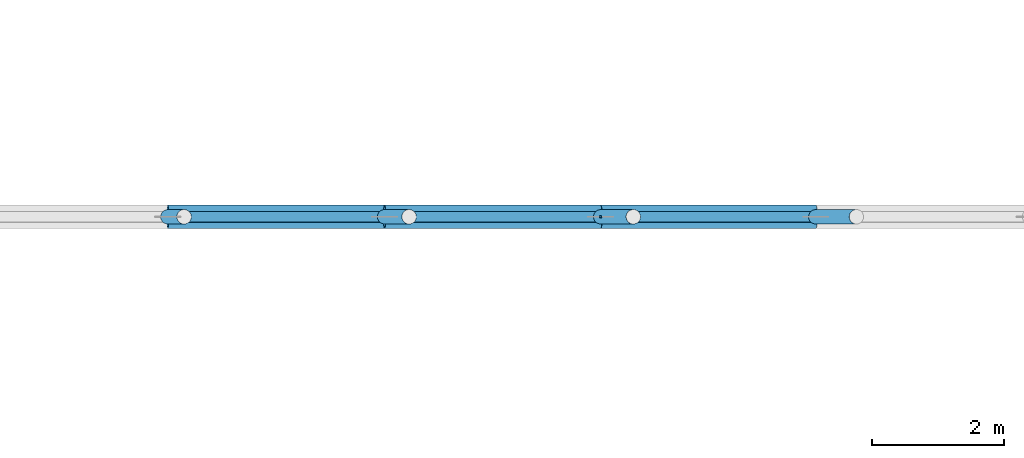
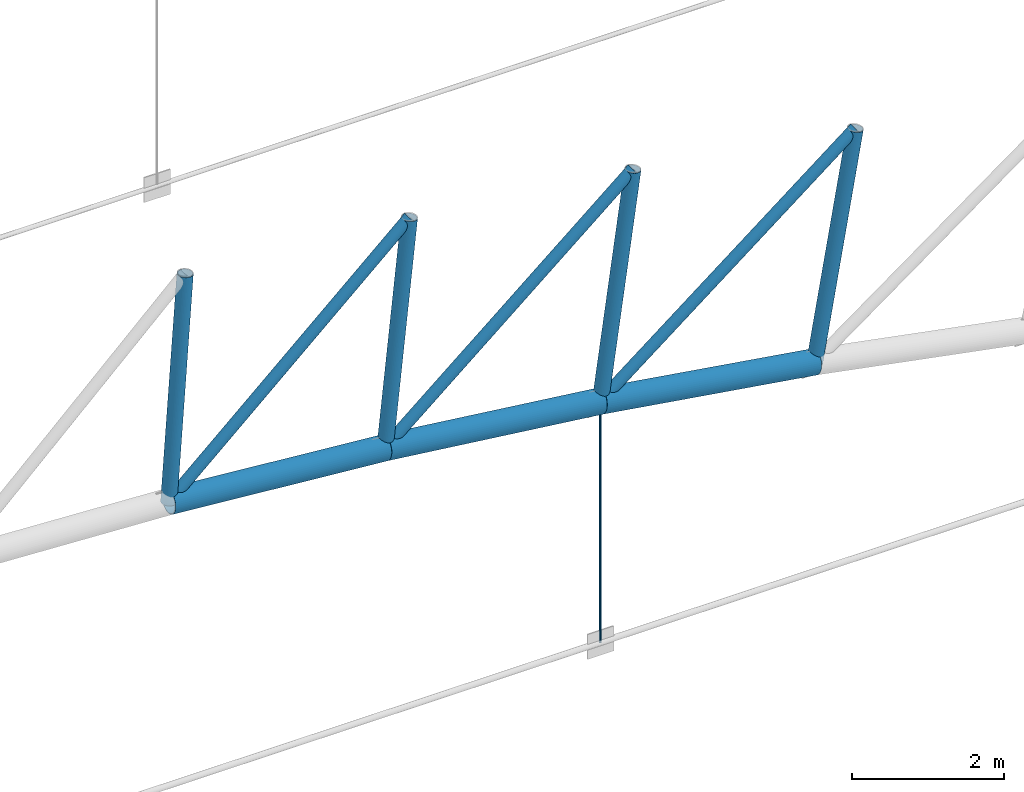
# One storey, part 184 of 321: 11 members.
"""IFC4 building model written with IfcOpenShell, lengths in metres."""

from ifc_helpers import new_model, si_unit, direction, frame, origin, origin_2d, place, context, subcontext, project, spatial, circle, hollow_circle, extrude, material, material_profile, profile_set, type_object, element, save


model = new_model("IFC4")

# Units and contexts
model_context = context("Model", 3, precision=1e-05, world=origin(), true_north=direction((0.0, 1.0)))
body_context = subcontext(model_context, "Body", "Model", "MODEL_VIEW")
ifc_project = project(units=[si_unit("LENGTHUNIT", "METRE"), si_unit("AREAUNIT", "SQUARE_METRE"), si_unit("VOLUMEUNIT", "CUBIC_METRE"), si_unit("PLANEANGLEUNIT", "RADIAN"), si_unit("MASSUNIT", "GRAM", prefix="KILO")], contexts=[model_context])

# Site, building, storey
site_placement = place(None, origin())
site = spatial("IfcSite", under=ifc_project, at=site_placement, CompositionType="ELEMENT")
building_placement = place(site_placement, origin())
building = spatial("IfcBuilding", under=site, at=building_placement, Name="Ravi Spectrum Wholesale Market", CompositionType="ELEMENT")
storey_placement = place(building_placement, frame((0.0, 0.0, 10.800048828125)))
storey = spatial("IfcBuildingStorey", under=building, at=storey_placement, Name="L02", CompositionType="ELEMENT", Elevation=10.800048828125)

# Members
ifc_material_1 = material(Name="Steel S355", Category="steel")
ifc_material_profile_1 = material_profile(ifc_material_1, hollow_circle(Radius=0.084228515625, WallThickness=0.00634765625, at=origin_2d()))
ifc_profile_set_1 = profile_set([ifc_material_profile_1], Name="Steel S355")
member_type_1 = type_object("IfcMemberType", Name="CHS 168.3x6.3 brace", PredefinedType="BRACE", material=ifc_profile_set_1)
for number, where, z_axis, x_axis, name in (
    (1, (80.273193359375, 150.0, 7.867919921875), (-0.743626505142, 0.0, -0.668595259369), (0.0, -1.0, 0.0), "H1-MB-L02-895"),
    (2, (83.678466796875, 150.0, 7.45458984375), (-0.766252893925, 0.0, -0.642539105854), (0.0, -1.0, 0.0), "H1-MB-L02-896"),
    (3, (87.0673828125, 150.0, 6.92431640625), (-0.787944778548, 0.0, -0.615745910225), (0.0, -1.0, 0.0), "H1-MB-L02-897"),
):
    element("IfcMember", number, at=place(storey_placement, frame(where, z_axis=z_axis, x_axis=x_axis)), inside=storey, type_object=member_type_1, Name=name, PredefinedType="BRACE", context=body_context, shape_type="SweptSolid", body=[
        extrude(hollow_circle(Radius=0.084228515625, WallThickness=0.00634765625, at=origin_2d()), origin(), (0.0, 0.0, 1.0), 4.9296875),
    ])
ifc_material_2 = material(Name="Steel S355", Category="steel")
ifc_material_profile_2 = material_profile(ifc_material_2, hollow_circle(Radius=0.109619140625, WallThickness=0.008056640625, at=origin_2d()))
ifc_profile_set_2 = profile_set([ifc_material_profile_2], Name="Steel S355")
member_type_2 = type_object("IfcMemberType", Name="CHS 219.1x8 post", PredefinedType="POST", material=ifc_profile_set_2)
member_1_placement = place(storey_placement, frame((76.85546875, 150.0, 8.163330078125), z_axis=(-0.068904502548, 0.0, -0.997623260319), x_axis=(0.0, -1.0, 0.0)))
element("IfcMember", 4, at=member_1_placement, inside=storey, type_object=member_type_2, Name="H1-MB-L02-872", PredefinedType="POST", context=body_context, shape_type="SweptSolid", body=[
    extrude(hollow_circle(Radius=0.109619140625, WallThickness=0.008056640625, at=origin_2d()), origin(), (0.0, 0.0, 1.0), 3.599853515625),
])
member_2_placement = place(storey_placement, frame((80.273193359375, 150.0, 7.867919921875), z_axis=(-0.103350310801, 0.0, -0.994645018716), x_axis=(0.0, -1.0, 0.0)))
element("IfcMember", 5, at=member_2_placement, inside=storey, type_object=member_type_2, Name="H1-MB-L02-873", PredefinedType="POST", context=body_context, shape_type="SweptSolid", body=[
    extrude(hollow_circle(Radius=0.109619140625, WallThickness=0.008056640625, at=origin_2d()), origin(), (0.0, 0.0, 1.0), 3.60009765625),
])
member_3_placement = place(storey_placement, frame((83.678466796875, 150.0, 7.45458984375), z_axis=(-0.137603486835, 0.0, -0.990487395382), x_axis=(0.0, -1.0, 0.0)))
element("IfcMember", 6, at=member_3_placement, inside=storey, type_object=member_type_2, Name="H1-MB-L02-874", PredefinedType="POST", context=body_context, shape_type="SweptSolid", body=[
    extrude(hollow_circle(Radius=0.109619140625, WallThickness=0.008056640625, at=origin_2d()), origin(), (0.0, 0.0, 1.0), 3.599853515625),
])
member_4_placement = place(storey_placement, frame((87.0673828125, 150.0, 6.92431640625), z_axis=(-0.171575852457, 0.0, -0.985170912509), x_axis=(0.0, -1.0, 0.0)))
element("IfcMember", 7, at=member_4_placement, inside=storey, type_object=member_type_2, Name="H1-MB-L02-875", PredefinedType="POST", context=body_context, shape_type="SweptSolid", body=[
    extrude(hollow_circle(Radius=0.109619140625, WallThickness=0.008056640625, at=origin_2d()), origin(), (0.0, 0.0, 1.0), 3.60009765625),
])
ifc_material_3 = material(Name="Steel S355", Category="steel")
ifc_material_profile_3 = material_profile(ifc_material_3, hollow_circle(Radius=0.177734375, WallThickness=0.012451171875, at=origin_2d()))
ifc_profile_set_3 = profile_set([ifc_material_profile_3], Name="Steel S355")
member_type_3 = type_object("IfcMemberType", Name="CHS 355.6x12.5 chord", PredefinedType="CHORD", material=ifc_profile_set_3)
member_5_placement = place(storey_placement, frame((76.607421875, 150.0, 4.572021484375), z_axis=(0.99627955827, 0.0, -0.08618028645), x_axis=(0.0, 1.0, 0.0)))
element("IfcMember", 8, at=member_5_placement, inside=storey, type_object=member_type_3, Name="H1-MB-L02-849", PredefinedType="CHORD", context=body_context, shape_type="SweptSolid", body=[
    extrude(hollow_circle(Radius=0.177734375, WallThickness=0.012451171875, at=origin_2d()), origin(), (0.0, 0.0, 1.0), 3.305908203125),
])
member_6_placement = place(storey_placement, frame((79.901123046875, 150.0, 4.287109375), z_axis=(0.99272014244, 0.0, -0.120443840833), x_axis=(0.0, 1.0, 0.0)))
element("IfcMember", 9, at=member_6_placement, inside=storey, type_object=member_type_3, Name="H1-MB-L02-850", PredefinedType="CHORD", context=body_context, shape_type="SweptSolid", body=[
    extrude(hollow_circle(Radius=0.177734375, WallThickness=0.012451171875, at=origin_2d()), origin(), (0.0, 0.0, 1.0), 3.30615234375),
])
member_7_placement = place(storey_placement, frame((83.18310546875, 150.0, 3.888916015625), z_axis=(0.987973992944, 0.0, -0.154620145084), x_axis=(0.0, 1.0, 0.0)))
element("IfcMember", 10, at=member_7_placement, inside=storey, type_object=member_type_3, Name="H1-MB-L02-851", PredefinedType="CHORD", context=body_context, shape_type="SweptSolid", body=[
    extrude(hollow_circle(Radius=0.177734375, WallThickness=0.012451171875, at=origin_2d()), origin(), (0.0, 0.0, 1.0), 3.306396484375),
])
ifc_material_4 = material(Name="Steel S355", Category="steel")
ifc_material_profile_4 = material_profile(ifc_material_4, circle(Radius=0.01806640625, at=origin_2d()))
ifc_profile_set_4 = profile_set([ifc_material_profile_4], Name="Steel S355")
member_type_4 = type_object("IfcMemberType", Name="ROD 36 hanger", PredefinedType="STRUT", material=ifc_profile_set_4)
member_8_placement = place(storey_placement, frame((83.18310546875, 150.0, 0.0), z_axis=(0.0, 0.0, 1.0), x_axis=(1.0, 0.0, 0.0)))
element("IfcMember", 11, at=member_8_placement, inside=storey, type_object=member_type_4, Name="H1-MB-L02-908", PredefinedType="STRUT", context=body_context, shape_type="SweptSolid", body=[
    extrude(circle(Radius=0.01806640625, at=origin_2d()), origin(), (0.0, 0.0, 1.0), 3.888916015625),
])

save(model, "model.ifc")
